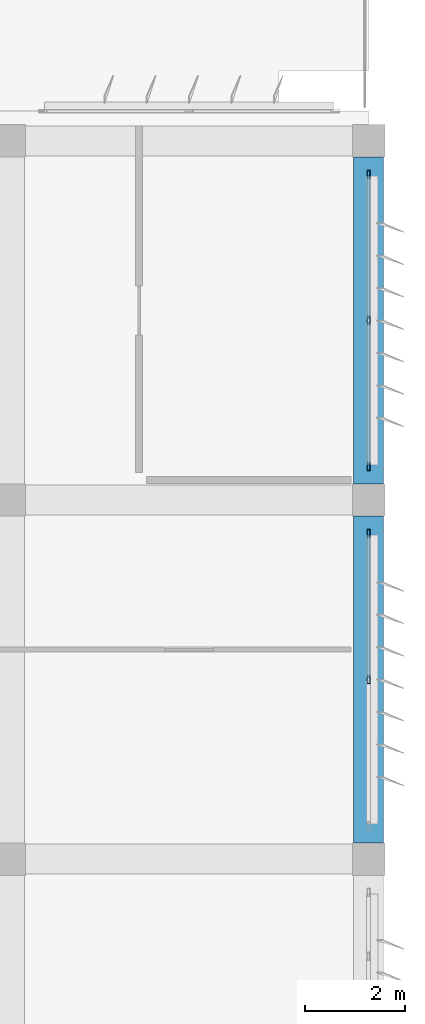
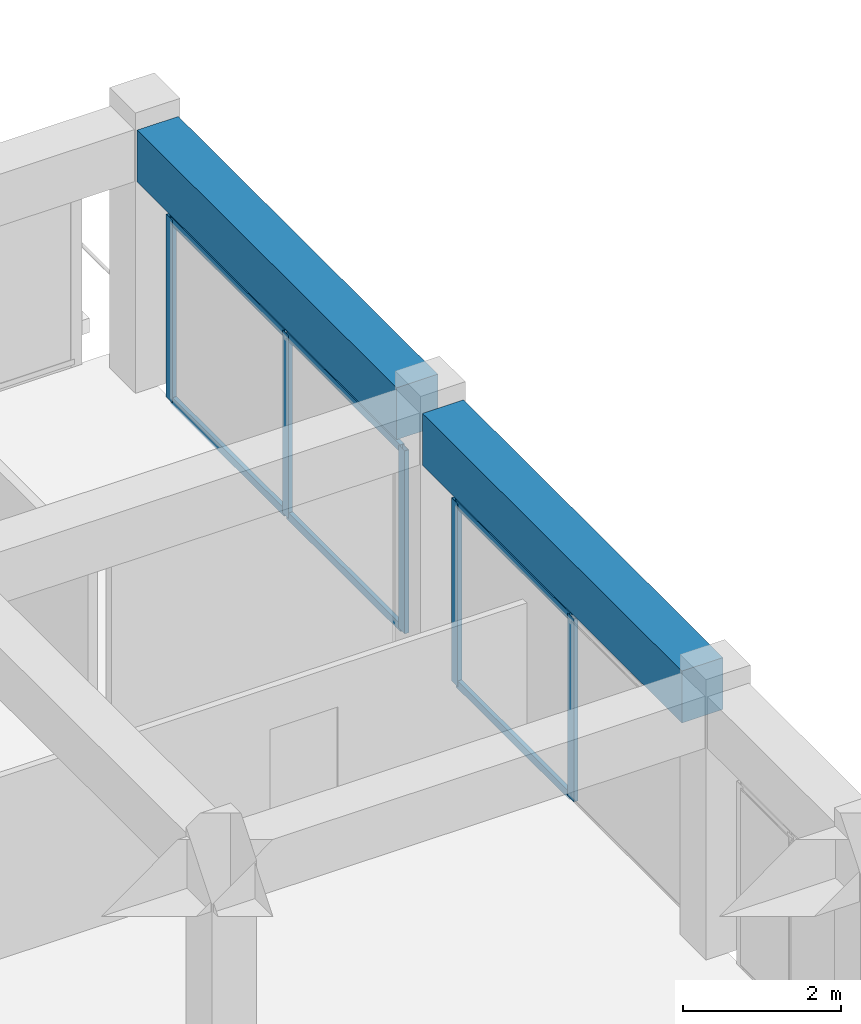
# One storey, part 25 of 42: 11 members, 2 beams, 2 elements without a shape of their own.
"""IFC4 building model written with IfcOpenShell, lengths in metres."""

from ifc_helpers import new_model, si_unit, direction, frame, origin, origin_2d, place, context, subcontext, project, spatial, rectangle, hollow_rectangle, extrude, material, material_profile, profile_set, type_object, element, aggregate, save


model = new_model("IFC4")

# Units and contexts
model_context = context("Model", 3, precision=1e-05, world=origin(), true_north=direction((0.0, 1.0)))
body_context = subcontext(model_context, "Body", "Model", "MODEL_VIEW")
ifc_project = project(units=[si_unit("LENGTHUNIT", "METRE"), si_unit("AREAUNIT", "SQUARE_METRE"), si_unit("VOLUMEUNIT", "CUBIC_METRE"), si_unit("PLANEANGLEUNIT", "RADIAN"), si_unit("MASSUNIT", "GRAM", prefix="KILO")], contexts=[model_context])

# Site, building, storey
site_placement = place(None, origin())
site = spatial("IfcSite", under=ifc_project, at=site_placement, CompositionType="ELEMENT")
building_placement = place(site_placement, origin())
building = spatial("IfcBuilding", under=site, at=building_placement, Name="Kazehaya Institute of Natural Sciences", CompositionType="ELEMENT")
storey_placement = place(building_placement, frame((0.0, 0.0, 37.6201171875)))
storey = spatial("IfcBuildingStorey", under=building, at=storey_placement, Name="L08", CompositionType="ELEMENT", Elevation=37.6201171875)

# Beams
ifc_material_1 = material(Name="Concrete Fc36", Category="concrete")
ifc_material_profile_1 = material_profile(ifc_material_1, rectangle(XDim=0.60009765625, YDim=0.800048828125, at=origin_2d()), Name="RC-600x800")
ifc_profile_set_1 = profile_set([ifc_material_profile_1], Name="Concrete Fc36")
beam_type = type_object("IfcBeamType", Name="BM-G-600x800", PredefinedType="BEAM", material=ifc_profile_set_1)
for number, where, z_axis, x_axis, name in (
    (1, (119.39990234375, 14.324951171875, 3.64990234375), (0.0, 1.0, 0.0), (-1.0, 0.0, 0.0), "L08 primary Y girder BMY-L08-1194-140"),
    (2, (119.39990234375, 21.52490234375, 3.64990234375), (0.0, 1.0, 0.0), (-1.0, 0.0, 0.0), "L08 primary Y girder BMY-L08-1194-212"),
):
    element("IfcBeam", number, at=place(storey_placement, frame(where, z_axis=z_axis, x_axis=x_axis)), inside=storey, type_object=beam_type, Name=name, PredefinedType="BEAM", context=body_context, shape_type="SweptSolid", body=[
        extrude(rectangle(XDim=0.60009765625, YDim=0.800048828125, at=origin_2d()), origin(), (0.0, 0.0, 1.0), 6.550048828125),
    ])

# Curtain wall, members
ifc_material_2 = material(Name="Aluminium alloy A6063S-T5", Category="aluminium")
curtain_wall_type = type_object("IfcCurtainWallType", Name="CW-SYS-10", PredefinedType="NOTDEFINED", material=ifc_material_2)
curtain_wall_1_placement = place(storey_placement, origin())
curtain_wall_1 = element("IfcCurtainWall", 3, at=curtain_wall_1_placement, inside=storey, type_object=curtain_wall_type, Name="L08 unitised curtain wall CW-L08-198", PredefinedType="NOTDEFINED")
ifc_material_profile_2 = material_profile(ifc_material_2, hollow_rectangle(XDim=0.06005859375, YDim=0.159912109375, WallThickness=0.00390625, at=origin_2d()), Name="ALU-60x160x4")
ifc_profile_set_2 = profile_set([ifc_material_profile_2], Name="Aluminium alloy A6063S-T5")
member_type_1 = type_object("IfcMemberType", Name="CWM-160", PredefinedType="MULLION", material=ifc_profile_set_2)
member_1_placement = place(storey_placement, frame((119.39990234375, 20.530029296875, 0.0), z_axis=(0.0, 0.0, 1.0), x_axis=(1.0, 0.0, 0.0)))
member_1 = element("IfcMember", 4, at=member_1_placement, type_object=member_type_1, Name="CW10 mullion 1", PredefinedType="MULLION", context=body_context, shape_type="SweptSolid", body=[
    extrude(hollow_rectangle(XDim=0.06005859375, YDim=0.159912109375, WallThickness=0.00390625, at=origin_2d()), origin(), (0.0, 0.0, 1.0), 2.81982421875),
])
member_2_placement = place(storey_placement, frame((119.39990234375, 17.60009765625, 0.0), z_axis=(0.0, 0.0, 1.0), x_axis=(1.0, 0.0, 0.0)))
member_2 = element("IfcMember", 5, at=member_2_placement, type_object=member_type_1, Name="CW10 mullion 2", PredefinedType="MULLION", context=body_context, shape_type="SweptSolid", body=[
    extrude(hollow_rectangle(XDim=0.06005859375, YDim=0.159912109375, WallThickness=0.00390625, at=origin_2d()), origin(), (0.0, 0.0, 1.0), 2.81982421875),
])

curtain_wall_2_placement = place(storey_placement, origin())
curtain_wall_2 = element("IfcCurtainWall", 6, at=curtain_wall_2_placement, inside=storey, type_object=curtain_wall_type, Name="L08 unitised curtain wall CW-L08-200", PredefinedType="NOTDEFINED")
member_3_placement = place(storey_placement, frame((119.39990234375, 27.72998046875, 0.0), z_axis=(0.0, 0.0, 1.0), x_axis=(1.0, 0.0, 0.0)))
member_3 = element("IfcMember", 7, at=member_3_placement, type_object=member_type_1, Name="CW10 mullion 1", PredefinedType="MULLION", context=body_context, shape_type="SweptSolid", body=[
    extrude(hollow_rectangle(XDim=0.06005859375, YDim=0.159912109375, WallThickness=0.00390625, at=origin_2d()), origin(), (0.0, 0.0, 1.0), 2.81982421875),
])
member_4_placement = place(storey_placement, frame((119.39990234375, 24.800048828125, 0.0), z_axis=(0.0, 0.0, 1.0), x_axis=(1.0, 0.0, 0.0)))
member_4 = element("IfcMember", 8, at=member_4_placement, type_object=member_type_1, Name="CW10 mullion 2", PredefinedType="MULLION", context=body_context, shape_type="SweptSolid", body=[
    extrude(hollow_rectangle(XDim=0.06005859375, YDim=0.159912109375, WallThickness=0.00390625, at=origin_2d()), origin(), (0.0, 0.0, 1.0), 2.81982421875),
])
member_5_placement = place(storey_placement, frame((119.39990234375, 21.8701171875, 0.0), z_axis=(0.0, 0.0, 1.0), x_axis=(1.0, 0.0, 0.0)))
member_5 = element("IfcMember", 9, at=member_5_placement, type_object=member_type_1, Name="CW10 mullion 3", PredefinedType="MULLION", context=body_context, shape_type="SweptSolid", body=[
    extrude(hollow_rectangle(XDim=0.06005859375, YDim=0.159912109375, WallThickness=0.00390625, at=origin_2d()), origin(), (0.0, 0.0, 1.0), 2.81982421875),
])

# Member
ifc_material_profile_3 = material_profile(ifc_material_2, hollow_rectangle(XDim=0.06005859375, YDim=0.1201171875, WallThickness=0.00341796875, at=origin_2d()), Name="ALU-60x120x3.5")
ifc_profile_set_3 = profile_set([ifc_material_profile_3], Name="Aluminium alloy A6063S-T5")
member_type_2 = type_object("IfcMemberType", Name="CWT-120", PredefinedType="USERDEFINED", material=ifc_profile_set_3)
member_6_placement = place(storey_placement, frame((119.39990234375, 20.5, 0.02978515625), z_axis=(0.0, -1.0, 0.0), x_axis=(1.0, 0.0, 0.0)))
member_6 = element("IfcMember", 10, at=member_6_placement, type_object=member_type_2, Name="CW10 transom 1.1", ObjectType="TRANSOM", PredefinedType="USERDEFINED", context=body_context, shape_type="SweptSolid", body=[
    extrude(hollow_rectangle(XDim=0.06005859375, YDim=0.1201171875, WallThickness=0.00341796875, at=origin_2d()), origin(), (0.0, 0.0, 1.0), 2.8701171875),
])

member_7_placement = place(storey_placement, frame((119.39990234375, 20.5, 2.789794921875), z_axis=(0.0, -1.0, 0.0), x_axis=(1.0, 0.0, 0.0)))
member_7 = element("IfcMember", 11, at=member_7_placement, type_object=member_type_2, Name="CW10 transom 1.2", ObjectType="TRANSOM", PredefinedType="USERDEFINED", context=body_context, shape_type="SweptSolid", body=[
    extrude(hollow_rectangle(XDim=0.06005859375, YDim=0.1201171875, WallThickness=0.00341796875, at=origin_2d()), origin(), (0.0, 0.0, 1.0), 2.8701171875),
])

aggregate(curtain_wall_1, [member_1, member_2, member_6, member_7])

member_8_placement = place(storey_placement, frame((119.39990234375, 27.699951171875, 0.02978515625), z_axis=(0.0, -1.0, 0.0), x_axis=(1.0, 0.0, 0.0)))
member_8 = element("IfcMember", 12, at=member_8_placement, type_object=member_type_2, Name="CW10 transom 1.1", ObjectType="TRANSOM", PredefinedType="USERDEFINED", context=body_context, shape_type="SweptSolid", body=[
    extrude(hollow_rectangle(XDim=0.06005859375, YDim=0.1201171875, WallThickness=0.00341796875, at=origin_2d()), origin(), (0.0, 0.0, 1.0), 2.869873046875),
])

member_9_placement = place(storey_placement, frame((119.39990234375, 27.699951171875, 2.789794921875), z_axis=(0.0, -1.0, 0.0), x_axis=(1.0, 0.0, 0.0)))
member_9 = element("IfcMember", 13, at=member_9_placement, type_object=member_type_2, Name="CW10 transom 1.2", ObjectType="TRANSOM", PredefinedType="USERDEFINED", context=body_context, shape_type="SweptSolid", body=[
    extrude(hollow_rectangle(XDim=0.06005859375, YDim=0.1201171875, WallThickness=0.00341796875, at=origin_2d()), origin(), (0.0, 0.0, 1.0), 2.869873046875),
])

member_10_placement = place(storey_placement, frame((119.39990234375, 24.77001953125, 0.02978515625), z_axis=(0.0, -1.0, 0.0), x_axis=(1.0, 0.0, 0.0)))
member_10 = element("IfcMember", 14, at=member_10_placement, type_object=member_type_2, Name="CW10 transom 2.1", ObjectType="TRANSOM", PredefinedType="USERDEFINED", context=body_context, shape_type="SweptSolid", body=[
    extrude(hollow_rectangle(XDim=0.06005859375, YDim=0.1201171875, WallThickness=0.00341796875, at=origin_2d()), origin(), (0.0, 0.0, 1.0), 2.8701171875),
])

member_11_placement = place(storey_placement, frame((119.39990234375, 24.77001953125, 2.789794921875), z_axis=(0.0, -1.0, 0.0), x_axis=(1.0, 0.0, 0.0)))
member_11 = element("IfcMember", 15, at=member_11_placement, type_object=member_type_2, Name="CW10 transom 2.2", ObjectType="TRANSOM", PredefinedType="USERDEFINED", context=body_context, shape_type="SweptSolid", body=[
    extrude(hollow_rectangle(XDim=0.06005859375, YDim=0.1201171875, WallThickness=0.00341796875, at=origin_2d()), origin(), (0.0, 0.0, 1.0), 2.8701171875),
])

aggregate(curtain_wall_2, [member_3, member_4, member_5, member_8, member_9, member_10, member_11])

save(model, "model.ifc")
